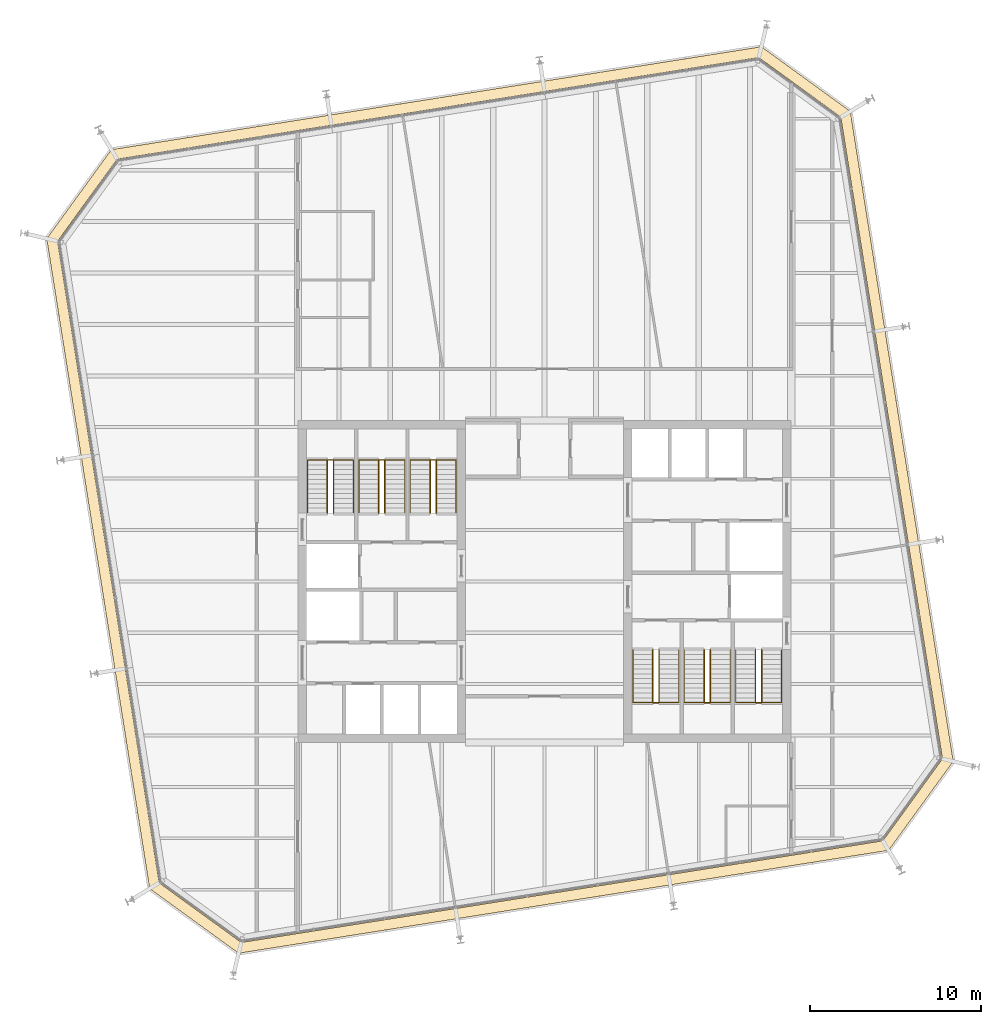
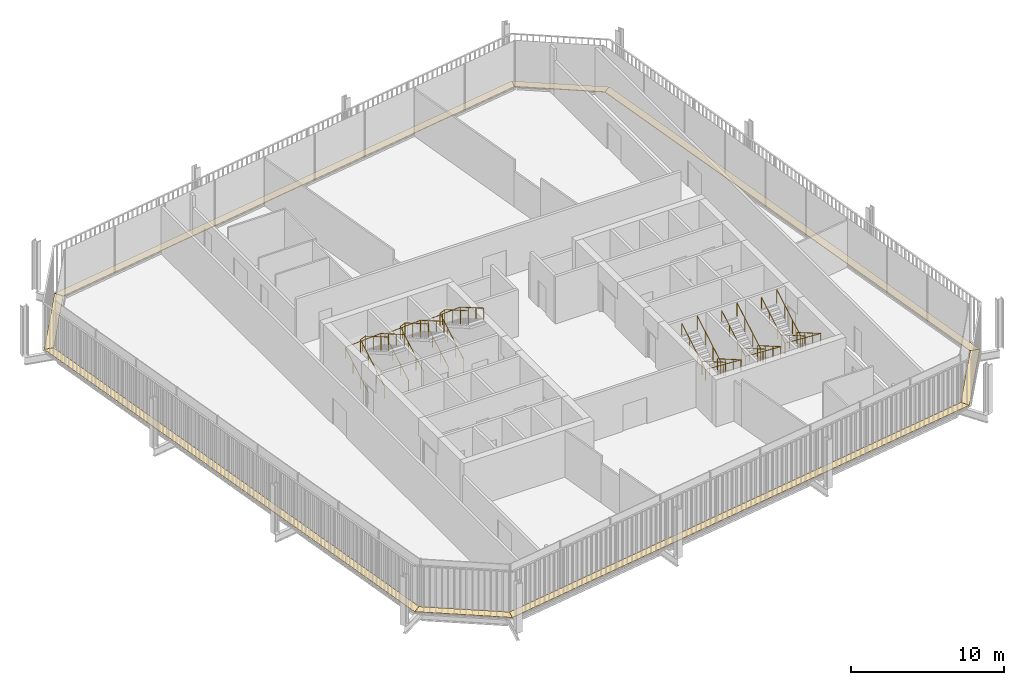
# One storey, part 20 of 20: 12 railings, 8 coverings.
"""IFC4 building model written with IfcOpenShell, lengths in metres."""

from ifc_helpers import new_model, si_unit, direction, frame, origin, origin_2d, place, context, subcontext, project, spatial, polyline, circle, outline, extrude, material, layer, layer_set, type_object, element, save


model = new_model("IFC4")

# Units and contexts
model_context = context("Model", 3, precision=1e-05, world=origin(), true_north=direction((0.0, 1.0)))
body_context = subcontext(model_context, "Body", "Model", "MODEL_VIEW")
ifc_project = project(units=[si_unit("LENGTHUNIT", "METRE"), si_unit("AREAUNIT", "SQUARE_METRE"), si_unit("VOLUMEUNIT", "CUBIC_METRE"), si_unit("PLANEANGLEUNIT", "RADIAN"), si_unit("MASSUNIT", "GRAM", prefix="KILO")], contexts=[model_context])

# Site, building, storey
site_placement = place(None, origin())
site = spatial("IfcSite", under=ifc_project, at=site_placement, CompositionType="ELEMENT")
building_placement = place(site_placement, origin())
building = spatial("IfcBuilding", under=site, at=building_placement, Name="Millrace Tower", CompositionType="ELEMENT")
storey_placement = place(building_placement, frame((0.0, 0.0, 232.0)))
storey = spatial("IfcBuildingStorey", under=building, at=storey_placement, Name="L53", CompositionType="ELEMENT", Elevation=232.0)

# Coverings
ifc_material_1 = material(Name="Steel ASTM A36", Category="steel")
ifc_layer = layer(ifc_material_1, 0.050048828125)
ifc_layer_set = layer_set([ifc_layer], Name="Steel ASTM A36")
covering_type = type_object("IfcCoveringType", Name="CAVITY CATWALK steel grating", PredefinedType="FLOORING", material=ifc_layer_set)
placement = place(storey_placement, frame((0.0, 0.0, 0.10009765625)))
element("IfcCovering", 1, at=placement, inside=storey, type_object=covering_type, Name="Cavity catwalk grating D-F01 L53 1", PredefinedType="FLOORING", context=body_context, shape_type="SweptSolid", body=[
    extrude(outline(polyline([(-23.052490234375, -17.939453125), (-17.85888671875, -21.712890625), (-17.707275390625, -21.081298828125), (-22.49853515625, -17.60009765625), (-23.052490234375, -17.939453125)])), origin(), (0.0, 0.0, 1.0), 0.0498046875),
])
element("IfcCovering", 2, at=placement, inside=storey, type_object=covering_type, Name="Cavity catwalk grating D-F02 L53 1", PredefinedType="FLOORING", context=body_context, shape_type="SweptSolid", body=[
    extrude(outline(polyline([(-17.85888671875, -21.712890625), (20.08935546875, -15.702392578125), (19.750244140625, -15.148681640625), (-17.707275390625, -21.081298828125), (-17.85888671875, -21.712890625)])), origin(), (0.0, 0.0, 1.0), 0.0498046875),
])
element("IfcCovering", 3, at=placement, inside=storey, type_object=covering_type, Name="Cavity catwalk grating D-F03 L53 1", PredefinedType="FLOORING", context=body_context, shape_type="SweptSolid", body=[
    extrude(outline(polyline([(20.08935546875, -15.702392578125), (23.86279296875, -10.5087890625), (23.231201171875, -10.357177734375), (19.750244140625, -15.148681640625), (20.08935546875, -15.702392578125)])), origin(), (0.0, 0.0, 1.0), 0.0498046875),
])
element("IfcCovering", 4, at=placement, inside=storey, type_object=covering_type, Name="Cavity catwalk grating D-F04 L53 1", PredefinedType="FLOORING", context=body_context, shape_type="SweptSolid", body=[
    extrude(outline(polyline([(23.86279296875, -10.5087890625), (17.852294921875, 27.439453125), (17.298583984375, 27.10009765625), (23.231201171875, -10.357177734375), (23.86279296875, -10.5087890625)])), origin(), (0.0, 0.0, 1.0), 0.0498046875),
])
element("IfcCovering", 5, at=placement, inside=storey, type_object=covering_type, Name="Cavity catwalk grating D-F05 L53 1", PredefinedType="FLOORING", context=body_context, shape_type="SweptSolid", body=[
    extrude(outline(polyline([(17.852294921875, 27.439453125), (12.658935546875, 31.212890625), (12.50732421875, 30.581298828125), (17.298583984375, 27.10009765625), (17.852294921875, 27.439453125)])), origin(), (0.0, 0.0, 1.0), 0.0498046875),
])
element("IfcCovering", 6, at=placement, inside=storey, type_object=covering_type, Name="Cavity catwalk grating D-F06 L53 1", PredefinedType="FLOORING", context=body_context, shape_type="SweptSolid", body=[
    extrude(outline(polyline([(12.658935546875, 31.212890625), (-25.28955078125, 25.202392578125), (-24.9501953125, 24.648681640625), (12.50732421875, 30.581298828125), (12.658935546875, 31.212890625)])), origin(), (0.0, 0.0, 1.0), 0.0498046875),
])
element("IfcCovering", 7, at=placement, inside=storey, type_object=covering_type, Name="Cavity catwalk grating D-F07 L53 1", PredefinedType="FLOORING", context=body_context, shape_type="SweptSolid", body=[
    extrude(outline(polyline([(-25.28955078125, 25.202392578125), (-29.062744140625, 20.0087890625), (-28.431396484375, 19.857177734375), (-24.9501953125, 24.648681640625), (-25.28955078125, 25.202392578125)])), origin(), (0.0, 0.0, 1.0), 0.0498046875),
])
element("IfcCovering", 8, at=placement, inside=storey, type_object=covering_type, Name="Cavity catwalk grating D-F08 L53 1", PredefinedType="FLOORING", context=body_context, shape_type="SweptSolid", body=[
    extrude(outline(polyline([(-29.062744140625, 20.0087890625), (-23.052490234375, -17.939453125), (-22.49853515625, -17.60009765625), (-28.431396484375, 19.857177734375), (-29.062744140625, 20.0087890625)])), origin(), (0.0, 0.0, 1.0), 0.0498046875),
])

# Railings
ifc_material_2 = material(Name="Stainless steel ASTM A240 type 316", Category="steel")
railing_type_1 = type_object("IfcRailingType", Name="Stair guard 1100", PredefinedType="GUARDRAIL", material=ifc_material_2)
for number, where, name in (
    (9, (-12.679931640625, 4.0, 0.16259765625), "Stair guard 1 W L53"),
    (10, (-9.679931640625, 4.0, 0.16259765625), "Stair guard 2 W L53"),
    (11, (-6.679931640625, 4.0, 0.16259765625), "Stair guard 3 W L53"),
):
    element("IfcRailing", number, at=place(storey_placement, frame(where)), inside=storey, type_object=railing_type_1, Name=name, PredefinedType="GUARDRAIL", context=body_context, shape_type="SweptSolid", body=[
        extrude(circle(Radius=0.02392578125, at=origin_2d()), frame((0.0, 0.0, 1.076171875), z_axis=(0.0, 0.864920483161, 0.501908913857), x_axis=(-1.0, 0.0, 0.0)), (0.0, 0.0, 1.0), 3.56103515625),
        extrude(circle(Radius=0.02392578125, at=origin_2d()), frame((0.0, 3.080078125, 2.86328125), z_axis=(0.911295775139, 0.0, 0.411752365158), x_axis=(0.0, 1.0, 0.0)), (0.0, 0.0, 1.0), 0.394775390625),
        extrude(circle(Radius=0.02392578125, at=origin_2d()), frame((0.35986328125, 3.080078125, 3.02587890625), z_axis=(0.0, -0.864920483161, 0.501908913857), x_axis=(1.0, 0.0, 0.0)), (0.0, 0.0, 1.0), 3.56103515625),
        extrude(circle(Radius=0.02099609375, at=origin_2d()), origin(), (0.0, 0.0, 1.0), 1.052001953125),
        extrude(circle(Radius=0.02099609375, at=origin_2d()), frame((0.0, 1.026611328125, 0.595703125)), (0.0, 0.0, 1.0), 1.052001953125),
        extrude(circle(Radius=0.02099609375, at=origin_2d()), frame((0.0, 2.053466796875, 1.191650390625)), (0.0, 0.0, 1.0), 1.052001953125),
        extrude(circle(Radius=0.02099609375, at=origin_2d()), frame((0.0, 3.080078125, 1.787353515625)), (0.0, 0.0, 1.0), 1.052001953125),
        extrude(circle(Radius=0.02099609375, at=origin_2d()), frame((0.35986328125, 3.080078125, 1.949951171875)), (0.0, 0.0, 1.0), 1.052001953125),
        extrude(circle(Radius=0.02099609375, at=origin_2d()), frame((0.35986328125, 2.053466796875, 2.545654296875)), (0.0, 0.0, 1.0), 1.052001953125),
        extrude(circle(Radius=0.02099609375, at=origin_2d()), frame((0.35986328125, 1.026611328125, 3.1416015625)), (0.0, 0.0, 1.0), 1.052001953125),
        extrude(circle(Radius=0.02099609375, at=origin_2d()), frame((0.35986328125, 0.0, 3.7373046875)), (0.0, 0.0, 1.0), 1.052001953125),
    ])
for number, where, name in (
    (12, (12.679931640625, -4.0, 0.16259765625), "Stair guard 1 E L53"),
    (13, (9.679931640625, -4.0, 0.16259765625), "Stair guard 2 E L53"),
    (14, (6.679931640625, -4.0, 0.16259765625), "Stair guard 3 E L53"),
):
    element("IfcRailing", number, at=place(storey_placement, frame(where)), inside=storey, type_object=railing_type_1, Name=name, PredefinedType="GUARDRAIL", context=body_context, shape_type="SweptSolid", body=[
        extrude(circle(Radius=0.02392578125, at=origin_2d()), frame((0.0, 0.0, 1.076171875), z_axis=(0.0, -0.864920483161, 0.501908913857), x_axis=(1.0, 0.0, 0.0)), (0.0, 0.0, 1.0), 3.56103515625),
        extrude(circle(Radius=0.02392578125, at=origin_2d()), frame((0.0, -3.080078125, 2.86328125), z_axis=(-0.911295775139, 0.0, 0.411752365158), x_axis=(0.0, -1.0, 0.0)), (0.0, 0.0, 1.0), 0.394775390625),
        extrude(circle(Radius=0.02392578125, at=origin_2d()), frame((-0.35986328125, -3.080078125, 3.02587890625), z_axis=(0.0, 0.864920483161, 0.501908913857), x_axis=(-1.0, 0.0, 0.0)), (0.0, 0.0, 1.0), 3.56103515625),
        extrude(circle(Radius=0.02099609375, at=origin_2d()), origin(), (0.0, 0.0, 1.0), 1.052001953125),
        extrude(circle(Radius=0.02099609375, at=origin_2d()), frame((0.0, -1.026611328125, 0.595703125)), (0.0, 0.0, 1.0), 1.052001953125),
        extrude(circle(Radius=0.02099609375, at=origin_2d()), frame((0.0, -2.053466796875, 1.191650390625)), (0.0, 0.0, 1.0), 1.052001953125),
        extrude(circle(Radius=0.02099609375, at=origin_2d()), frame((0.0, -3.080078125, 1.787353515625)), (0.0, 0.0, 1.0), 1.052001953125),
        extrude(circle(Radius=0.02099609375, at=origin_2d()), frame((-0.35986328125, -3.080078125, 1.949951171875)), (0.0, 0.0, 1.0), 1.052001953125),
        extrude(circle(Radius=0.02099609375, at=origin_2d()), frame((-0.35986328125, -2.053466796875, 2.545654296875)), (0.0, 0.0, 1.0), 1.052001953125),
        extrude(circle(Radius=0.02099609375, at=origin_2d()), frame((-0.35986328125, -1.026611328125, 3.1416015625)), (0.0, 0.0, 1.0), 1.052001953125),
        extrude(circle(Radius=0.02099609375, at=origin_2d()), frame((-0.35986328125, 0.0, 3.7373046875)), (0.0, 0.0, 1.0), 1.052001953125),
    ])
ifc_material_3 = material(Name="Stainless steel ASTM A240 type 316", Category="steel")
railing_type_2 = type_object("IfcRailingType", Name="Stair handrail 900", PredefinedType="HANDRAIL", material=ifc_material_3)
railing_1_placement = place(storey_placement, frame((-13.840087890625, 4.0, 0.16259765625)))
element("IfcRailing", 15, at=railing_1_placement, inside=storey, type_object=railing_type_2, Name="Stair handrail 1 W L53", PredefinedType="HANDRAIL", context=body_context, shape_type="SweptSolid", body=[
    extrude(circle(Radius=0.02392578125, at=origin_2d()), frame((0.0, 0.0, 0.8759765625), z_axis=(0.0, 0.864920483161, 0.501908913857), x_axis=(-1.0, 0.0, 0.0)), (0.0, 0.0, 1.0), 3.56103515625),
    extrude(circle(Radius=0.02392578125, at=origin_2d()), frame((0.0, 3.080078125, 2.6630859375), z_axis=(0.998164834547, 0.0, 0.060555454528), x_axis=(0.0, 1.0, 0.0)), (0.0, 0.0, 1.0), 2.68505859375),
    extrude(circle(Radius=0.02392578125, at=origin_2d()), frame((2.68017578125, 3.080078125, 2.82568359375), z_axis=(0.0, -0.864920483161, 0.501908913857), x_axis=(1.0, 0.0, 0.0)), (0.0, 0.0, 1.0), 3.56103515625),
    extrude(circle(Radius=0.02099609375, at=origin_2d()), origin(), (0.0, 0.0, 1.0), 0.851806640625),
    extrude(circle(Radius=0.02099609375, at=origin_2d()), frame((0.0, 1.026611328125, 0.595703125)), (0.0, 0.0, 1.0), 0.851806640625),
    extrude(circle(Radius=0.02099609375, at=origin_2d()), frame((0.0, 2.053466796875, 1.191650390625)), (0.0, 0.0, 1.0), 0.851806640625),
    extrude(circle(Radius=0.02099609375, at=origin_2d()), frame((0.0, 3.080078125, 1.787353515625)), (0.0, 0.0, 1.0), 0.851806640625),
    extrude(circle(Radius=0.02099609375, at=origin_2d()), frame((1.340087890625, 3.080078125, 1.86865234375)), (0.0, 0.0, 1.0), 0.851806640625),
    extrude(circle(Radius=0.02099609375, at=origin_2d()), frame((2.68017578125, 3.080078125, 1.949951171875)), (0.0, 0.0, 1.0), 0.851806640625),
    extrude(circle(Radius=0.02099609375, at=origin_2d()), frame((2.68017578125, 2.053466796875, 2.545654296875)), (0.0, 0.0, 1.0), 0.851806640625),
    extrude(circle(Radius=0.02099609375, at=origin_2d()), frame((2.68017578125, 1.026611328125, 3.1416015625)), (0.0, 0.0, 1.0), 0.851806640625),
    extrude(circle(Radius=0.02099609375, at=origin_2d()), frame((2.68017578125, 0.0, 3.7373046875)), (0.0, 0.0, 1.0), 0.851806640625),
])
railing_2_placement = place(storey_placement, frame((-10.840087890625, 4.0, 0.16259765625)))
element("IfcRailing", 16, at=railing_2_placement, inside=storey, type_object=railing_type_2, Name="Stair handrail 2 W L53", PredefinedType="HANDRAIL", context=body_context, shape_type="SweptSolid", body=[
    extrude(circle(Radius=0.02392578125, at=origin_2d()), frame((0.0, 0.0, 0.8759765625), z_axis=(0.0, 0.864920483161, 0.501908913857), x_axis=(-1.0, 0.0, 0.0)), (0.0, 0.0, 1.0), 3.56103515625),
    extrude(circle(Radius=0.02392578125, at=origin_2d()), frame((0.0, 3.080078125, 2.6630859375), z_axis=(0.998164834547, 0.0, 0.060555454528), x_axis=(0.0, 1.0, 0.0)), (0.0, 0.0, 1.0), 2.68505859375),
    extrude(circle(Radius=0.02392578125, at=origin_2d()), frame((2.68017578125, 3.080078125, 2.82568359375), z_axis=(0.0, -0.864920483161, 0.501908913857), x_axis=(1.0, 0.0, 0.0)), (0.0, 0.0, 1.0), 3.56103515625),
    extrude(circle(Radius=0.02099609375, at=origin_2d()), origin(), (0.0, 0.0, 1.0), 0.851806640625),
    extrude(circle(Radius=0.02099609375, at=origin_2d()), frame((0.0, 1.026611328125, 0.595703125)), (0.0, 0.0, 1.0), 0.851806640625),
    extrude(circle(Radius=0.02099609375, at=origin_2d()), frame((0.0, 2.053466796875, 1.191650390625)), (0.0, 0.0, 1.0), 0.851806640625),
    extrude(circle(Radius=0.02099609375, at=origin_2d()), frame((0.0, 3.080078125, 1.787353515625)), (0.0, 0.0, 1.0), 0.851806640625),
    extrude(circle(Radius=0.02099609375, at=origin_2d()), frame((1.340087890625, 3.080078125, 1.86865234375)), (0.0, 0.0, 1.0), 0.851806640625),
    extrude(circle(Radius=0.02099609375, at=origin_2d()), frame((2.68017578125, 3.080078125, 1.949951171875)), (0.0, 0.0, 1.0), 0.851806640625),
    extrude(circle(Radius=0.02099609375, at=origin_2d()), frame((2.68017578125, 2.053466796875, 2.545654296875)), (0.0, 0.0, 1.0), 0.851806640625),
    extrude(circle(Radius=0.02099609375, at=origin_2d()), frame((2.68017578125, 1.026611328125, 3.1416015625)), (0.0, 0.0, 1.0), 0.851806640625),
    extrude(circle(Radius=0.02099609375, at=origin_2d()), frame((2.68017578125, 0.0, 3.7373046875)), (0.0, 0.0, 1.0), 0.851806640625),
])
railing_3_placement = place(storey_placement, frame((-7.840087890625, 4.0, 0.16259765625)))
element("IfcRailing", 17, at=railing_3_placement, inside=storey, type_object=railing_type_2, Name="Stair handrail 3 W L53", PredefinedType="HANDRAIL", context=body_context, shape_type="SweptSolid", body=[
    extrude(circle(Radius=0.02392578125, at=origin_2d()), frame((0.0, 0.0, 0.8759765625), z_axis=(0.0, 0.864920483161, 0.501908913857), x_axis=(-1.0, 0.0, 0.0)), (0.0, 0.0, 1.0), 3.56103515625),
    extrude(circle(Radius=0.02392578125, at=origin_2d()), frame((0.0, 3.080078125, 2.6630859375), z_axis=(0.998164834547, 0.0, 0.060555454528), x_axis=(0.0, 1.0, 0.0)), (0.0, 0.0, 1.0), 2.68505859375),
    extrude(circle(Radius=0.02392578125, at=origin_2d()), frame((2.68017578125, 3.080078125, 2.82568359375), z_axis=(0.0, -0.864920483161, 0.501908913857), x_axis=(1.0, 0.0, 0.0)), (0.0, 0.0, 1.0), 3.56103515625),
    extrude(circle(Radius=0.02099609375, at=origin_2d()), origin(), (0.0, 0.0, 1.0), 0.851806640625),
    extrude(circle(Radius=0.02099609375, at=origin_2d()), frame((0.0, 1.026611328125, 0.595703125)), (0.0, 0.0, 1.0), 0.851806640625),
    extrude(circle(Radius=0.02099609375, at=origin_2d()), frame((0.0, 2.053466796875, 1.191650390625)), (0.0, 0.0, 1.0), 0.851806640625),
    extrude(circle(Radius=0.02099609375, at=origin_2d()), frame((0.0, 3.080078125, 1.787353515625)), (0.0, 0.0, 1.0), 0.851806640625),
    extrude(circle(Radius=0.02099609375, at=origin_2d()), frame((1.340087890625, 3.080078125, 1.86865234375)), (0.0, 0.0, 1.0), 0.851806640625),
    extrude(circle(Radius=0.02099609375, at=origin_2d()), frame((2.68017578125, 3.080078125, 1.949951171875)), (0.0, 0.0, 1.0), 0.851806640625),
    extrude(circle(Radius=0.02099609375, at=origin_2d()), frame((2.68017578125, 2.053466796875, 2.545654296875)), (0.0, 0.0, 1.0), 0.851806640625),
    extrude(circle(Radius=0.02099609375, at=origin_2d()), frame((2.68017578125, 1.026611328125, 3.1416015625)), (0.0, 0.0, 1.0), 0.851806640625),
    extrude(circle(Radius=0.02099609375, at=origin_2d()), frame((2.68017578125, 0.0, 3.7373046875)), (0.0, 0.0, 1.0), 0.851806640625),
])
railing_4_placement = place(storey_placement, frame((13.840087890625, -4.0, 0.16259765625)))
element("IfcRailing", 18, at=railing_4_placement, inside=storey, type_object=railing_type_2, Name="Stair handrail 1 E L53", PredefinedType="HANDRAIL", context=body_context, shape_type="SweptSolid", body=[
    extrude(circle(Radius=0.02392578125, at=origin_2d()), frame((0.0, 0.0, 0.8759765625), z_axis=(0.0, -0.864920483161, 0.501908913857), x_axis=(1.0, 0.0, 0.0)), (0.0, 0.0, 1.0), 3.56103515625),
    extrude(circle(Radius=0.02392578125, at=origin_2d()), frame((0.0, -3.080078125, 2.6630859375), z_axis=(-0.998164834547, 0.0, 0.060555454528), x_axis=(0.0, -1.0, 0.0)), (0.0, 0.0, 1.0), 2.68505859375),
    extrude(circle(Radius=0.02392578125, at=origin_2d()), frame((-2.68017578125, -3.080078125, 2.82568359375), z_axis=(0.0, 0.864920483161, 0.501908913857), x_axis=(-1.0, 0.0, 0.0)), (0.0, 0.0, 1.0), 3.56103515625),
    extrude(circle(Radius=0.02099609375, at=origin_2d()), origin(), (0.0, 0.0, 1.0), 0.851806640625),
    extrude(circle(Radius=0.02099609375, at=origin_2d()), frame((0.0, -1.026611328125, 0.595703125)), (0.0, 0.0, 1.0), 0.851806640625),
    extrude(circle(Radius=0.02099609375, at=origin_2d()), frame((0.0, -2.053466796875, 1.191650390625)), (0.0, 0.0, 1.0), 0.851806640625),
    extrude(circle(Radius=0.02099609375, at=origin_2d()), frame((0.0, -3.080078125, 1.787353515625)), (0.0, 0.0, 1.0), 0.851806640625),
    extrude(circle(Radius=0.02099609375, at=origin_2d()), frame((-1.340087890625, -3.080078125, 1.86865234375)), (0.0, 0.0, 1.0), 0.851806640625),
    extrude(circle(Radius=0.02099609375, at=origin_2d()), frame((-2.68017578125, -3.080078125, 1.949951171875)), (0.0, 0.0, 1.0), 0.851806640625),
    extrude(circle(Radius=0.02099609375, at=origin_2d()), frame((-2.68017578125, -2.053466796875, 2.545654296875)), (0.0, 0.0, 1.0), 0.851806640625),
    extrude(circle(Radius=0.02099609375, at=origin_2d()), frame((-2.68017578125, -1.026611328125, 3.1416015625)), (0.0, 0.0, 1.0), 0.851806640625),
    extrude(circle(Radius=0.02099609375, at=origin_2d()), frame((-2.68017578125, 0.0, 3.7373046875)), (0.0, 0.0, 1.0), 0.851806640625),
])
railing_5_placement = place(storey_placement, frame((10.840087890625, -4.0, 0.16259765625)))
element("IfcRailing", 19, at=railing_5_placement, inside=storey, type_object=railing_type_2, Name="Stair handrail 2 E L53", PredefinedType="HANDRAIL", context=body_context, shape_type="SweptSolid", body=[
    extrude(circle(Radius=0.02392578125, at=origin_2d()), frame((0.0, 0.0, 0.8759765625), z_axis=(0.0, -0.864920483161, 0.501908913857), x_axis=(1.0, 0.0, 0.0)), (0.0, 0.0, 1.0), 3.56103515625),
    extrude(circle(Radius=0.02392578125, at=origin_2d()), frame((0.0, -3.080078125, 2.6630859375), z_axis=(-0.998164834547, 0.0, 0.060555454528), x_axis=(0.0, -1.0, 0.0)), (0.0, 0.0, 1.0), 2.68505859375),
    extrude(circle(Radius=0.02392578125, at=origin_2d()), frame((-2.68017578125, -3.080078125, 2.82568359375), z_axis=(0.0, 0.864920483161, 0.501908913857), x_axis=(-1.0, 0.0, 0.0)), (0.0, 0.0, 1.0), 3.56103515625),
    extrude(circle(Radius=0.02099609375, at=origin_2d()), origin(), (0.0, 0.0, 1.0), 0.851806640625),
    extrude(circle(Radius=0.02099609375, at=origin_2d()), frame((0.0, -1.026611328125, 0.595703125)), (0.0, 0.0, 1.0), 0.851806640625),
    extrude(circle(Radius=0.02099609375, at=origin_2d()), frame((0.0, -2.053466796875, 1.191650390625)), (0.0, 0.0, 1.0), 0.851806640625),
    extrude(circle(Radius=0.02099609375, at=origin_2d()), frame((0.0, -3.080078125, 1.787353515625)), (0.0, 0.0, 1.0), 0.851806640625),
    extrude(circle(Radius=0.02099609375, at=origin_2d()), frame((-1.340087890625, -3.080078125, 1.86865234375)), (0.0, 0.0, 1.0), 0.851806640625),
    extrude(circle(Radius=0.02099609375, at=origin_2d()), frame((-2.68017578125, -3.080078125, 1.949951171875)), (0.0, 0.0, 1.0), 0.851806640625),
    extrude(circle(Radius=0.02099609375, at=origin_2d()), frame((-2.68017578125, -2.053466796875, 2.545654296875)), (0.0, 0.0, 1.0), 0.851806640625),
    extrude(circle(Radius=0.02099609375, at=origin_2d()), frame((-2.68017578125, -1.026611328125, 3.1416015625)), (0.0, 0.0, 1.0), 0.851806640625),
    extrude(circle(Radius=0.02099609375, at=origin_2d()), frame((-2.68017578125, 0.0, 3.7373046875)), (0.0, 0.0, 1.0), 0.851806640625),
])
railing_6_placement = place(storey_placement, frame((7.840087890625, -4.0, 0.16259765625)))
element("IfcRailing", 20, at=railing_6_placement, inside=storey, type_object=railing_type_2, Name="Stair handrail 3 E L53", PredefinedType="HANDRAIL", context=body_context, shape_type="SweptSolid", body=[
    extrude(circle(Radius=0.02392578125, at=origin_2d()), frame((0.0, 0.0, 0.8759765625), z_axis=(0.0, -0.864920483161, 0.501908913857), x_axis=(1.0, 0.0, 0.0)), (0.0, 0.0, 1.0), 3.56103515625),
    extrude(circle(Radius=0.02392578125, at=origin_2d()), frame((0.0, -3.080078125, 2.6630859375), z_axis=(-0.998164834547, 0.0, 0.060555454528), x_axis=(0.0, -1.0, 0.0)), (0.0, 0.0, 1.0), 2.68505859375),
    extrude(circle(Radius=0.02392578125, at=origin_2d()), frame((-2.68017578125, -3.080078125, 2.82568359375), z_axis=(0.0, 0.864920483161, 0.501908913857), x_axis=(-1.0, 0.0, 0.0)), (0.0, 0.0, 1.0), 3.56103515625),
    extrude(circle(Radius=0.02099609375, at=origin_2d()), origin(), (0.0, 0.0, 1.0), 0.851806640625),
    extrude(circle(Radius=0.02099609375, at=origin_2d()), frame((0.0, -1.026611328125, 0.595703125)), (0.0, 0.0, 1.0), 0.851806640625),
    extrude(circle(Radius=0.02099609375, at=origin_2d()), frame((0.0, -2.053466796875, 1.191650390625)), (0.0, 0.0, 1.0), 0.851806640625),
    extrude(circle(Radius=0.02099609375, at=origin_2d()), frame((0.0, -3.080078125, 1.787353515625)), (0.0, 0.0, 1.0), 0.851806640625),
    extrude(circle(Radius=0.02099609375, at=origin_2d()), frame((-1.340087890625, -3.080078125, 1.86865234375)), (0.0, 0.0, 1.0), 0.851806640625),
    extrude(circle(Radius=0.02099609375, at=origin_2d()), frame((-2.68017578125, -3.080078125, 1.949951171875)), (0.0, 0.0, 1.0), 0.851806640625),
    extrude(circle(Radius=0.02099609375, at=origin_2d()), frame((-2.68017578125, -2.053466796875, 2.545654296875)), (0.0, 0.0, 1.0), 0.851806640625),
    extrude(circle(Radius=0.02099609375, at=origin_2d()), frame((-2.68017578125, -1.026611328125, 3.1416015625)), (0.0, 0.0, 1.0), 0.851806640625),
    extrude(circle(Radius=0.02099609375, at=origin_2d()), frame((-2.68017578125, 0.0, 3.7373046875)), (0.0, 0.0, 1.0), 0.851806640625),
])

save(model, "model.ifc")
